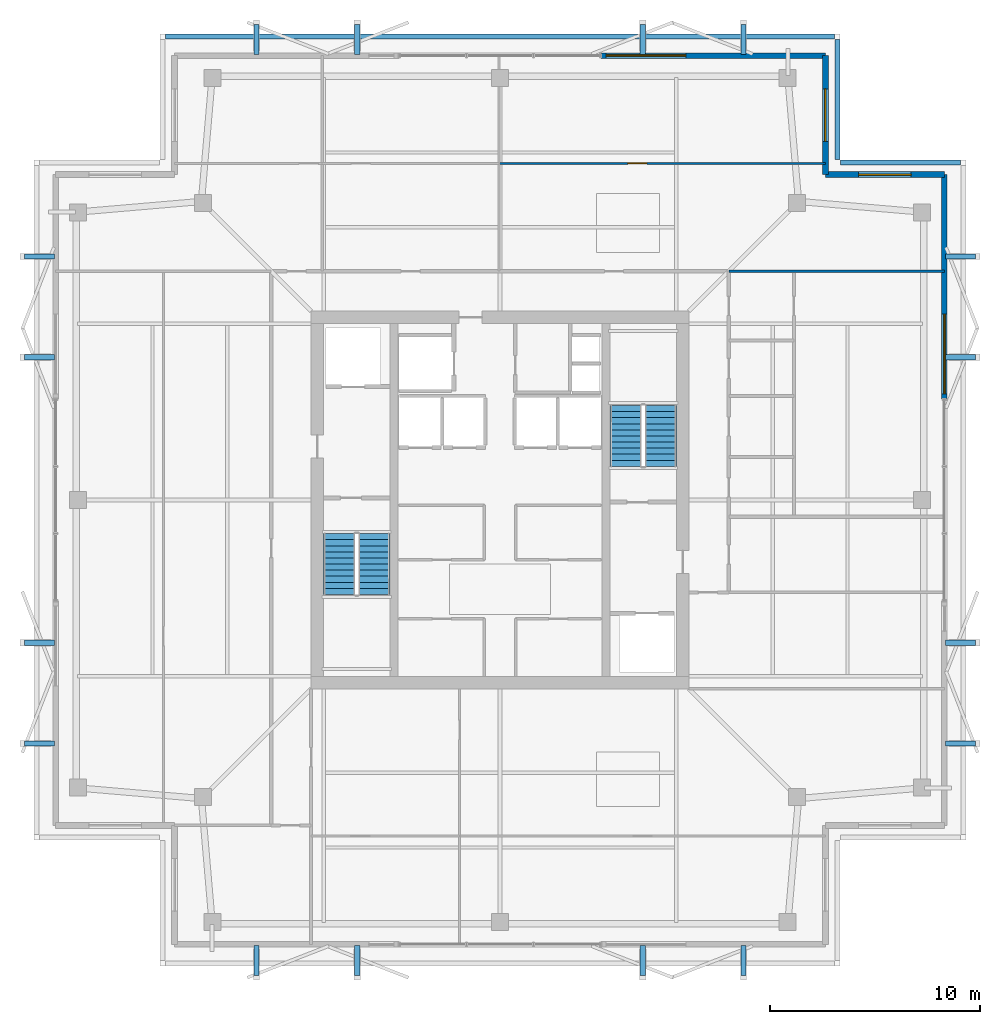
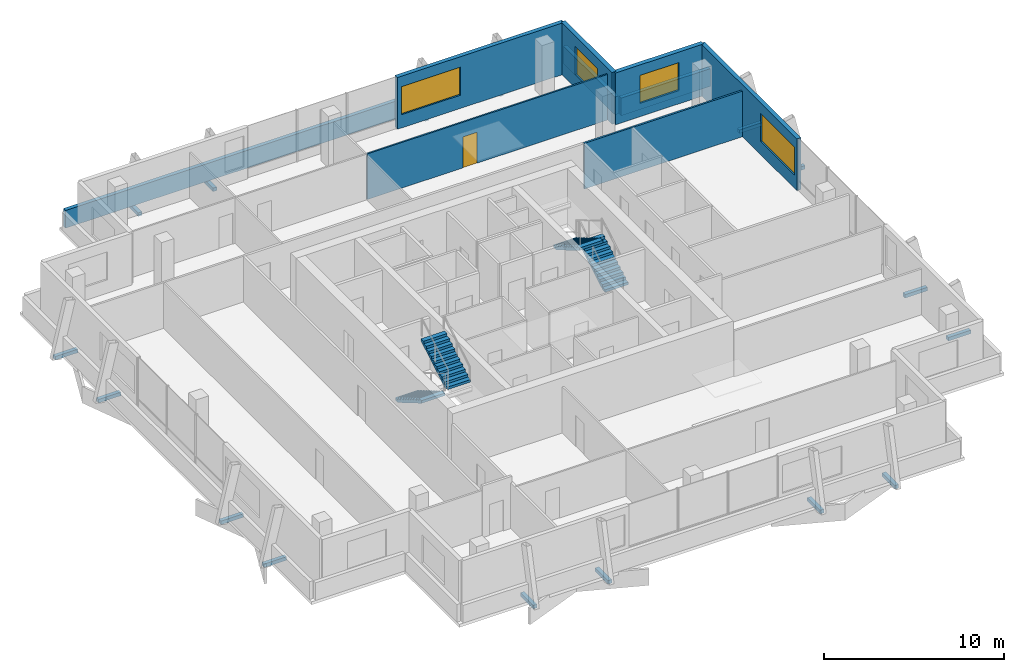
# One storey, part 17 of 18: 16 discrete accessories, 9 walls, 4 stair flights, 4 windows, 1 door, 5 openings, 2 elements without a shape of their own.
"""IFC4 building model written with IfcOpenShell, lengths in metres."""

from ifc_helpers import new_model, si_unit, direction, frame, frame_2d, origin, origin_2d, place, context, subcontext, project, spatial, polyline, rectangle, outline, extrude, material, layer, layer_set, type_object, element, fill, aggregate, save


model = new_model("IFC4")

# Units and contexts
model_context = context("Model", 3, precision=1e-05, world=origin(), true_north=direction((0.0, 1.0)))
body_context = subcontext(model_context, "Body", "Model", "MODEL_VIEW")
ifc_project = project(units=[si_unit("LENGTHUNIT", "METRE"), si_unit("AREAUNIT", "SQUARE_METRE"), si_unit("VOLUMEUNIT", "CUBIC_METRE"), si_unit("PLANEANGLEUNIT", "RADIAN"), si_unit("MASSUNIT", "GRAM", prefix="KILO")], contexts=[model_context])

# Site, building, storey
site_placement = place(None, origin())
site = spatial("IfcSite", under=ifc_project, at=site_placement, CompositionType="ELEMENT")
building_placement = place(site_placement, origin())
building = spatial("IfcBuilding", under=site, at=building_placement, Name="Belovzor Exchange Tower", CompositionType="ELEMENT")
storey_placement = place(building_placement, frame((0.0, 0.0, 344.25)))
storey = spatial("IfcBuildingStorey", under=building, at=storey_placement, Name="L86", CompositionType="ELEMENT", Elevation=344.25)

# Wall
ifc_material_1 = material(Name="Acoustic Plasterboard on Galvanised Studs", Category="gypsum")
ifc_layer_1 = layer(ifc_material_1, 0.1201171875)
ifc_layer_set_1 = layer_set([ifc_layer_1], Name="Acoustic Plasterboard on Galvanised Studs")
wall_type_1 = type_object("IfcWallType", Name="Acoustic Double-Stud Partition Wall 120", PredefinedType="PARTITIONING", material=ifc_layer_set_1)
wall_1_placement = place(storey_placement, frame((39.699951171875, 39.699951171875, 0.0), z_axis=(0.0, 0.0, 1.0), x_axis=(1.0, 0.0, 0.0)))
element("IfcWall", 1, at=wall_1_placement, inside=storey, type_object=wall_type_1, Name="W-P120 Partition Wall W-L86-END-NE", PredefinedType="PARTITIONING", context=body_context, shape_type="SweptSolid", body=[
    extrude(rectangle(XDim=10.27001953125, YDim=0.1201171875, at=frame_2d((5.135009765625, 0.0))), origin(), (0.0, 0.0, 1.0), 3.094970703125),
])

# Wall, opening, door
ifc_material_2 = material(Name="Acoustic Laminated Glass and Aluminium", Category="aluminium")
ifc_layer_2 = layer(ifc_material_2, 0.10009765625)
ifc_layer_set_2 = layer_set([ifc_layer_2], Name="Acoustic Laminated Glass and Aluminium")
wall_type_2 = type_object("IfcWallType", Name="Demountable Executive Glass Partition 100", PredefinedType="MOVABLE", material=ifc_layer_set_2)
wall_2_placement = place(storey_placement, frame((28.760986328125, 44.8349609375, 0.0), z_axis=(0.0, 0.0, 1.0), x_axis=(1.0, 0.0, 0.0)))
wall_2 = element("IfcWall", 2, at=wall_2_placement, inside=storey, type_object=wall_type_2, Name="W-M100 Partition Wall W-L86-NHDIV-2", PredefinedType="MOVABLE", context=body_context, shape_type="SweptSolid", body=[
    extrude(rectangle(XDim=15.5390625, YDim=0.10009765625, at=frame_2d((7.76953125, 0.0))), origin(), (0.0, 0.0, 1.0), 3.094970703125),
])
opening_1_placement = place(wall_2_placement, frame((6.133056640625, 0.0, 0.0)))
opening_1 = element("IfcOpeningElement", 3, at=opening_1_placement, cuts=wall_2, Name="Opening D-INT-090", PredefinedType="OPENING", context=body_context, shape_type="SweptSolid", body=[
    extrude(rectangle(XDim=0.89990234375, YDim=2.10009765625, at=frame_2d((0.449951171875, 1.050048828125))), frame((0.0, 0.06005859375, 0.0), z_axis=(0.0, -1.0, 0.0), x_axis=(1.0, 0.0, 0.0)), (0.0, 0.0, 1.0), 0.1201171875),
])
ifc_material_3 = material(Name="Veneered Hardwood Acoustic Leaf", Category="wood")
door_type = type_object("IfcDoorType", Name="Trading Suite Acoustic Single Door 900x2100", OperationType="NOTDEFINED", PredefinedType="DOOR", material=ifc_material_3)
door_placement = place(opening_1_placement, origin())
door = element("IfcDoor", 4, at=door_placement, inside=storey, type_object=door_type, Name="D-INT-090 Trading Suite Acoustic Single Door 900x2100", OperationType="SINGLE_SWING_RIGHT", OverallHeight=2.10009765625, OverallWidth=0.89990234375, PredefinedType="DOOR", context=body_context, shape_type="SweptSolid", body=[
    extrude(rectangle(XDim=0.89990234375, YDim=2.10009765625, at=frame_2d((0.449951171875, 1.050048828125))), frame((0.0, 0.02490234375, 0.0), z_axis=(0.0, -1.0, 0.0), x_axis=(1.0, 0.0, 0.0)), (0.0, 0.0, 1.0), 0.050048828125),
])
fill(opening_1, door)

# Wall, opening, window
ifc_material_4 = material(Name="Precast concrete C40/50", Category="concrete")
ifc_layer_3 = layer(ifc_material_4, 0.280029296875)
ifc_layer_set_3 = layer_set([ifc_layer_3], Name="Precast concrete C40/50")
wall_type_3 = type_object("IfcWallType", Name="Precast Concrete Notched Corner Frame Wall 280", PredefinedType="SOLIDWALL", material=ifc_layer_set_3)
wall_3_placement = place(storey_placement, frame((44.300048828125, 49.969970703125, 0.0), z_axis=(0.0, 0.0, 1.0), x_axis=(0.0, -1.0, 0.0)))
wall_3 = element("IfcWall", 5, at=wall_3_placement, inside=storey, type_object=wall_type_3, Name="W-CRN280 Precast Concrete Notched Corner Frame Wall 280 L86", PredefinedType="SOLIDWALL", context=body_context, shape_type="SweptSolid", body=[
    extrude(rectangle(XDim=5.669921875, YDim=0.280029296875, at=frame_2d((2.8349609375, 0.0))), origin(), (0.0, 0.0, 1.0), 3.510009765625),
])
opening_2_placement = place(wall_3_placement, frame((1.5849609375, 0.0, 0.89990234375)))
opening_2 = element("IfcOpeningElement", 6, at=opening_2_placement, cuts=wall_3, Name="Opening WN-CRN250", PredefinedType="OPENING", context=body_context, shape_type="SweptSolid", body=[
    extrude(rectangle(XDim=2.5, YDim=1.89990234375, at=frame_2d((1.25, 0.949951171875))), frame((0.0, 0.14990234375, 0.0), z_axis=(0.0, -1.0, 0.0), x_axis=(1.0, 0.0, 0.0)), (0.0, 0.0, 1.0), 0.300048828125),
])
ifc_material_5 = material(Name="Thermally Broken Aluminium and Triple Glazing", Category="aluminium")
window_type_1 = type_object("IfcWindowType", Name="Streamline Moderne Corner Wrap Ribbon Window 2500x1900", PartitioningType="SINGLE_PANEL", PredefinedType="WINDOW", material=ifc_material_5)
window_1_placement = place(opening_2_placement, origin())
window_1 = element("IfcWindow", 7, at=window_1_placement, inside=storey, type_object=window_type_1, Name="WN-CRN250 Streamline Moderne Corner Wrap Ribbon Window 2500x1900", OverallHeight=1.89990234375, OverallWidth=2.5, PartitioningType="SINGLE_PANEL", PredefinedType="WINDOW", context=body_context, shape_type="SweptSolid", body=[
    extrude(rectangle(XDim=2.5, YDim=1.89990234375, at=frame_2d((1.25, 0.949951171875))), frame((0.0, 0.030029296875, 0.0), z_axis=(0.0, -1.0, 0.0), x_axis=(1.0, 0.0, 0.0)), (0.0, 0.0, 1.0), 0.06005859375),
])
fill(opening_2, window_1)

wall_4_placement = place(storey_placement, frame((44.300048828125, 44.300048828125, 0.0), z_axis=(0.0, 0.0, 1.0), x_axis=(1.0, 0.0, 0.0)))
wall_4 = element("IfcWall", 8, at=wall_4_placement, inside=storey, type_object=wall_type_3, Name="W-CRN280 Precast Concrete Notched Corner Frame Wall 280 L86", PredefinedType="SOLIDWALL", context=body_context, shape_type="SweptSolid", body=[
    extrude(rectangle(XDim=5.669921875, YDim=0.280029296875, at=frame_2d((2.8349609375, 0.0))), origin(), (0.0, 0.0, 1.0), 3.510009765625),
])
opening_3_placement = place(wall_4_placement, frame((1.5849609375, 0.0, 0.89990234375)))
opening_3 = element("IfcOpeningElement", 9, at=opening_3_placement, cuts=wall_4, Name="Opening WN-CRN250", PredefinedType="OPENING", context=body_context, shape_type="SweptSolid", body=[
    extrude(rectangle(XDim=2.5, YDim=1.89990234375, at=frame_2d((1.25, 0.949951171875))), frame((0.0, 0.14990234375, 0.0), z_axis=(0.0, -1.0, 0.0), x_axis=(1.0, 0.0, 0.0)), (0.0, 0.0, 1.0), 0.300048828125),
])
window_2_placement = place(opening_3_placement, origin())
window_2 = element("IfcWindow", 10, at=window_2_placement, inside=storey, type_object=window_type_1, Name="WN-CRN250 Streamline Moderne Corner Wrap Ribbon Window 2500x1900", OverallHeight=1.89990234375, OverallWidth=2.5, PartitioningType="SINGLE_PANEL", PredefinedType="WINDOW", context=body_context, shape_type="SweptSolid", body=[
    extrude(rectangle(XDim=2.5, YDim=1.89990234375, at=frame_2d((1.25, 0.949951171875))), frame((0.0, 0.030029296875, 0.0), z_axis=(0.0, -1.0, 0.0), x_axis=(1.0, 0.0, 0.0)), (0.0, 0.0, 1.0), 0.06005859375),
])
fill(opening_3, window_2)

ifc_material_6 = material(Name="Precast concrete C40/50", Category="concrete")
ifc_layer_4 = layer(ifc_material_6, 0.260009765625)
ifc_layer_set_4 = layer_set([ifc_layer_4], Name="Precast concrete C40/50")
wall_type_4 = type_object("IfcWallType", Name="Precast Concrete Perimeter Loggia Frame Wall 260", PredefinedType="SOLIDWALL", material=ifc_layer_set_4)
wall_5_placement = place(storey_placement, frame((33.60009765625, 49.969970703125, 0.0), z_axis=(0.0, 0.0, 1.0), x_axis=(1.0, 0.0, 0.0)))
wall_5 = element("IfcWall", 11, at=wall_5_placement, inside=storey, type_object=wall_type_4, Name="W-EXT260 Precast Concrete Perimeter Loggia Frame Wall 260 L86", PredefinedType="SOLIDWALL", context=body_context, shape_type="SweptSolid", body=[
    extrude(rectangle(XDim=10.699951171875, YDim=0.260009765625, at=frame_2d((5.35009765625, 0.0))), origin(), (0.0, 0.0, 1.0), 3.510009765625),
])
opening_4_placement = place(wall_5_placement, frame((0.25, 0.0, 0.89990234375)))
opening_4 = element("IfcOpeningElement", 12, at=opening_4_placement, cuts=wall_5, Name="Opening WN-RIB380", PredefinedType="OPENING", context=body_context, shape_type="SweptSolid", body=[
    extrude(rectangle(XDim=3.800048828125, YDim=1.89990234375, at=frame_2d((1.89990234375, 0.949951171875))), frame((0.0, 0.139892578125, 0.0), z_axis=(0.0, -1.0, 0.0), x_axis=(1.0, 0.0, 0.0)), (0.0, 0.0, 1.0), 0.280029296875),
])
ifc_material_7 = material(Name="Thermally Broken Aluminium and Triple Glazing", Category="aluminium")
window_type_2 = type_object("IfcWindowType", Name="Streamline Moderne Horizontal Ribbon Window 3800x1900", PartitioningType="SINGLE_PANEL", PredefinedType="WINDOW", material=ifc_material_7)
window_3_placement = place(opening_4_placement, origin())
window_3 = element("IfcWindow", 13, at=window_3_placement, inside=storey, type_object=window_type_2, Name="WN-RIB380 Streamline Moderne Horizontal Ribbon Window 3800x1900", OverallHeight=1.89990234375, OverallWidth=3.800048828125, PartitioningType="SINGLE_PANEL", PredefinedType="WINDOW", context=body_context, shape_type="SweptSolid", body=[
    extrude(rectangle(XDim=3.800048828125, YDim=1.89990234375, at=frame_2d((1.89990234375, 0.949951171875))), frame((0.0, 0.030029296875, 0.0), z_axis=(0.0, -1.0, 0.0), x_axis=(1.0, 0.0, 0.0)), (0.0, 0.0, 1.0), 0.06005859375),
])
fill(opening_4, window_3)

wall_6_placement = place(storey_placement, frame((49.969970703125, 44.300048828125, 0.0), z_axis=(0.0, 0.0, 1.0), x_axis=(0.0, -1.0, 0.0)))
wall_6 = element("IfcWall", 14, at=wall_6_placement, inside=storey, type_object=wall_type_4, Name="W-EXT260 Precast Concrete Perimeter Loggia Frame Wall 260 L86", PredefinedType="SOLIDWALL", context=body_context, shape_type="SweptSolid", body=[
    extrude(rectangle(XDim=10.699951171875, YDim=0.260009765625, at=frame_2d((5.35009765625, 0.0))), origin(), (0.0, 0.0, 1.0), 3.510009765625),
])
opening_5_placement = place(wall_6_placement, frame((6.64990234375, 0.0, 0.89990234375)))
opening_5 = element("IfcOpeningElement", 15, at=opening_5_placement, cuts=wall_6, Name="Opening WN-RIB380", PredefinedType="OPENING", context=body_context, shape_type="SweptSolid", body=[
    extrude(rectangle(XDim=3.800048828125, YDim=1.89990234375, at=frame_2d((1.89990234375, 0.949951171875))), frame((0.0, 0.139892578125, 0.0), z_axis=(0.0, -1.0, 0.0), x_axis=(1.0, 0.0, 0.0)), (0.0, 0.0, 1.0), 0.280029296875),
])
window_4_placement = place(opening_5_placement, origin())
window_4 = element("IfcWindow", 16, at=window_4_placement, inside=storey, type_object=window_type_2, Name="WN-RIB380 Streamline Moderne Horizontal Ribbon Window 3800x1900", OverallHeight=1.89990234375, OverallWidth=3.800048828125, PartitioningType="SINGLE_PANEL", PredefinedType="WINDOW", context=body_context, shape_type="SweptSolid", body=[
    extrude(rectangle(XDim=3.800048828125, YDim=1.89990234375, at=frame_2d((1.89990234375, 0.949951171875))), frame((0.0, 0.030029296875, 0.0), z_axis=(0.0, -1.0, 0.0), x_axis=(1.0, 0.0, 0.0)), (0.0, 0.0, 1.0), 0.06005859375),
])
fill(opening_5, window_4)

# Walls
ifc_material_8 = material(Name="Precast concrete C40/50", Category="concrete")
ifc_layer_5 = layer(ifc_material_8, 0.239990234375)
ifc_layer_set_5 = layer_set([ifc_layer_5], Name="Precast concrete C40/50")
wall_type_5 = type_object("IfcWallType", Name="Precast Stone Setback Roof Parapet Wall 240", PredefinedType="PARAPET", material=ifc_layer_set_5)
for number, where, z_axis, x_axis, name in (
    (17, (50.7451171875, 44.8798828125, 0.0), (0.0, 0.0, 1.0), (-1.0, 0.0, 0.0), "W-PAR240 Precast Stone Setback Roof Parapet Wall 240 L86"),
    (18, (44.8798828125, 45.014892578125, 0.0), (0.0, 0.0, 1.0), (0.0, 1.0, 0.0), "W-PAR240 Precast Stone Setback Roof Parapet Wall 240 L86"),
):
    element("IfcWall", number, at=place(storey_placement, frame(where, z_axis=z_axis, x_axis=x_axis)), inside=storey, type_object=wall_type_5, Name=name, PredefinedType="PARAPET", context=body_context, shape_type="SweptSolid", body=[
        extrude(rectangle(XDim=5.730224609375, YDim=0.239990234375, at=frame_2d((2.865234375, 0.0))), origin(), (0.0, 0.0, 1.0), 1.199951171875),
    ])
wall_7_placement = place(storey_placement, frame((44.7451171875, 50.8798828125, 0.0), z_axis=(0.0, 0.0, 1.0), x_axis=(-1.0, 0.0, 0.0)))
element("IfcWall", 19, at=wall_7_placement, inside=storey, type_object=wall_type_5, Name="W-PAR240 Precast Stone Setback Roof Parapet Wall 240 L86", PredefinedType="PARAPET", context=body_context, shape_type="SweptSolid", body=[
    extrude(rectangle(XDim=31.89013671875, YDim=0.239990234375, at=frame_2d((15.945068359375, 0.0))), origin(), (0.0, 0.0, 1.0), 1.199951171875),
])

# Stair, stair flights
ifc_material_9 = material(Name="Concrete C40/50", Category="concrete")
stair_type = type_object("IfcStairType", Name="Reinforced Concrete Dogleg Escape Stair 1350", PredefinedType="HALF_TURN_STAIR", material=ifc_material_9)
stair_1_placement = place(storey_placement, origin())
stair_1 = element("IfcStair", 20, at=stair_1_placement, inside=storey, type_object=stair_type, Name="L86 ST-1", PredefinedType="HALF_TURN_STAIR")
ifc_material_10 = material(Name="Concrete C40/50", Category="concrete")
stair_flight_type = type_object("IfcStairFlightType", Name="Reinforced Concrete Stair Flight 1350", PredefinedType="STRAIGHT", material=ifc_material_10)
stair_flight_1_placement = place(storey_placement, frame((21.14990234375, 27.199951171875, 0.0), z_axis=(0.0, 0.0, 1.0), x_axis=(0.0, -1.0, 0.0)))
stair_flight_1 = element("IfcStairFlight", 21, at=stair_flight_1_placement, type_object=stair_flight_type, Name="ST-1 flight 1", NumberOfRisers=11, NumberOfTreads=10, PredefinedType="STRAIGHT", RiserHeight=0.170454545, TreadLength=0.29, context=body_context, shape_type="SweptSolid", body=[
    extrude(outline(polyline([(0.0, 0.0), (0.0, 0.17041015625), (0.2900390625, 0.17041015625), (0.2900390625, 0.3408203125), (0.580078125, 0.3408203125), (0.580078125, 0.511474609375), (0.8701171875, 0.511474609375), (0.8701171875, 0.681884765625), (1.159912109375, 0.681884765625), (1.159912109375, 0.852294921875), (1.449951171875, 0.852294921875), (1.449951171875, 1.022705078125), (1.739990234375, 1.022705078125), (1.739990234375, 1.193115234375), (2.030029296875, 1.193115234375), (2.030029296875, 1.363525390625), (2.320068359375, 1.363525390625), (2.320068359375, 1.5341796875), (2.610107421875, 1.5341796875), (2.610107421875, 1.70458984375), (2.89990234375, 1.70458984375), (2.89990234375, 1.875), (2.89990234375, 1.53076171875), (0.2958984375, 0.0), (0.0, 0.0)])), frame((0.0, 0.75, 0.0), z_axis=(0.0, -1.0, 0.0), x_axis=(1.0, 0.0, 0.0)), (0.0, 0.0, 1.0), 1.5),
])
stair_flight_2_placement = place(storey_placement, frame((22.800048828125, 24.300048828125, 1.875), z_axis=(0.0, 0.0, 1.0), x_axis=(0.0, 1.0, 0.0)))
stair_flight_2 = element("IfcStairFlight", 22, at=stair_flight_2_placement, type_object=stair_flight_type, Name="ST-1 flight 2", NumberOfRisers=11, NumberOfTreads=10, PredefinedType="STRAIGHT", RiserHeight=0.170454545, TreadLength=0.29, context=body_context, shape_type="SweptSolid", body=[
    extrude(outline(polyline([(0.0, 0.0), (0.0, 0.17041015625), (0.2900390625, 0.17041015625), (0.2900390625, 0.3408203125), (0.580078125, 0.3408203125), (0.580078125, 0.511474609375), (0.8701171875, 0.511474609375), (0.8701171875, 0.681884765625), (1.159912109375, 0.681884765625), (1.159912109375, 0.852294921875), (1.449951171875, 0.852294921875), (1.449951171875, 1.022705078125), (1.739990234375, 1.022705078125), (1.739990234375, 1.193115234375), (2.030029296875, 1.193115234375), (2.030029296875, 1.363525390625), (2.320068359375, 1.363525390625), (2.320068359375, 1.5341796875), (2.610107421875, 1.5341796875), (2.610107421875, 1.70458984375), (2.89990234375, 1.70458984375), (2.89990234375, 1.875), (2.89990234375, 1.53076171875), (0.2958984375, 0.0), (0.0, 0.0)])), frame((0.0, 0.75, 0.0), z_axis=(0.0, -1.0, 0.0), x_axis=(1.0, 0.0, 0.0)), (0.0, 0.0, 1.0), 1.5),
])
aggregate(stair_1, [stair_flight_1, stair_flight_2])

stair_2_placement = place(storey_placement, origin())
stair_2 = element("IfcStair", 23, at=stair_2_placement, inside=storey, type_object=stair_type, Name="L86 ST-2", PredefinedType="HALF_TURN_STAIR")
stair_flight_3_placement = place(storey_placement, frame((36.449951171875, 30.39990234375, 0.0), z_axis=(0.0, 0.0, 1.0), x_axis=(0.0, 1.0, 0.0)))
stair_flight_3 = element("IfcStairFlight", 24, at=stair_flight_3_placement, type_object=stair_flight_type, Name="ST-2 flight 1", NumberOfRisers=11, NumberOfTreads=10, PredefinedType="STRAIGHT", RiserHeight=0.170454545, TreadLength=0.29, context=body_context, shape_type="SweptSolid", body=[
    extrude(outline(polyline([(0.0, 0.0), (0.0, 0.17041015625), (0.2900390625, 0.17041015625), (0.2900390625, 0.3408203125), (0.580078125, 0.3408203125), (0.580078125, 0.511474609375), (0.8701171875, 0.511474609375), (0.8701171875, 0.681884765625), (1.159912109375, 0.681884765625), (1.159912109375, 0.852294921875), (1.449951171875, 0.852294921875), (1.449951171875, 1.022705078125), (1.739990234375, 1.022705078125), (1.739990234375, 1.193115234375), (2.030029296875, 1.193115234375), (2.030029296875, 1.363525390625), (2.320068359375, 1.363525390625), (2.320068359375, 1.5341796875), (2.610107421875, 1.5341796875), (2.610107421875, 1.70458984375), (2.89990234375, 1.70458984375), (2.89990234375, 1.875), (2.89990234375, 1.53076171875), (0.2958984375, 0.0), (0.0, 0.0)])), frame((0.0, 0.75, 0.0), z_axis=(0.0, -1.0, 0.0), x_axis=(1.0, 0.0, 0.0)), (0.0, 0.0, 1.0), 1.5),
])
stair_flight_4_placement = place(storey_placement, frame((34.800048828125, 33.300048828125, 1.875), z_axis=(0.0, 0.0, 1.0), x_axis=(0.0, -1.0, 0.0)))
stair_flight_4 = element("IfcStairFlight", 25, at=stair_flight_4_placement, type_object=stair_flight_type, Name="ST-2 flight 2", NumberOfRisers=11, NumberOfTreads=10, PredefinedType="STRAIGHT", RiserHeight=0.170454545, TreadLength=0.29, context=body_context, shape_type="SweptSolid", body=[
    extrude(outline(polyline([(0.0, 0.0), (0.0, 0.17041015625), (0.2900390625, 0.17041015625), (0.2900390625, 0.3408203125), (0.580078125, 0.3408203125), (0.580078125, 0.511474609375), (0.8701171875, 0.511474609375), (0.8701171875, 0.681884765625), (1.159912109375, 0.681884765625), (1.159912109375, 0.852294921875), (1.449951171875, 0.852294921875), (1.449951171875, 1.022705078125), (1.739990234375, 1.022705078125), (1.739990234375, 1.193115234375), (2.030029296875, 1.193115234375), (2.030029296875, 1.363525390625), (2.320068359375, 1.363525390625), (2.320068359375, 1.5341796875), (2.610107421875, 1.5341796875), (2.610107421875, 1.70458984375), (2.89990234375, 1.70458984375), (2.89990234375, 1.875), (2.89990234375, 1.53076171875), (0.2958984375, 0.0), (0.0, 0.0)])), frame((0.0, 0.75, 0.0), z_axis=(0.0, -1.0, 0.0), x_axis=(1.0, 0.0, 0.0)), (0.0, 0.0, 1.0), 1.5),
])
aggregate(stair_2, [stair_flight_3, stair_flight_4])

# Discrete accessories
ifc_material_11 = material(Name="Stainless Steel Grade 316", Category="steel")
ifc_layer_6 = layer(ifc_material_11, 0.179931640625)
ifc_layer_set_6 = layer_set([ifc_layer_6], Name="Stainless Steel Grade 316")
discrete_accessory_type = type_object("IfcDiscreteAccessoryType", Name="Stainless Steel Facade Outrigger Fixing Bracket", PredefinedType="BRACKET", material=ifc_layer_set_6)
for number, where, z_axis, x_axis, name in (
    (26, (17.199951171875, 6.862060546875, -0.240234375), (0.0, 0.0, 1.0), (0.0, 1.0, 0.0), "BRK-FIN1 Sweeping Fin Outrigger Bracket L86 S1"),
    (27, (17.199951171875, 50.737060546875, -0.240234375), (0.0, 0.0, 1.0), (0.0, 1.0, 0.0), "BRK-FIN1 Sweeping Fin Outrigger Bracket L86 N1"),
    (28, (6.862060546875, 17.199951171875, -0.240234375), (0.0, 0.0, 1.0), (1.0, 0.0, 0.0), "BRK-FIN1 Sweeping Fin Outrigger Bracket L86 W1"),
    (29, (50.737060546875, 17.199951171875, -0.240234375), (0.0, 0.0, 1.0), (1.0, 0.0, 0.0), "BRK-FIN1 Sweeping Fin Outrigger Bracket L86 E1"),
    (30, (22.0, 6.862060546875, -0.240234375), (0.0, 0.0, 1.0), (0.0, 1.0, 0.0), "BRK-FIN1 Sweeping Fin Outrigger Bracket L86 S2"),
    (31, (22.0, 50.737060546875, -0.240234375), (0.0, 0.0, 1.0), (0.0, 1.0, 0.0), "BRK-FIN1 Sweeping Fin Outrigger Bracket L86 N2"),
    (32, (6.862060546875, 22.0, -0.240234375), (0.0, 0.0, 1.0), (1.0, 0.0, 0.0), "BRK-FIN1 Sweeping Fin Outrigger Bracket L86 W2"),
    (33, (50.737060546875, 22.0, -0.240234375), (0.0, 0.0, 1.0), (1.0, 0.0, 0.0), "BRK-FIN1 Sweeping Fin Outrigger Bracket L86 E2"),
    (34, (35.60009765625, 6.862060546875, -0.240234375), (0.0, 0.0, 1.0), (0.0, 1.0, 0.0), "BRK-FIN1 Sweeping Fin Outrigger Bracket L86 S3"),
    (35, (35.60009765625, 50.737060546875, -0.240234375), (0.0, 0.0, 1.0), (0.0, 1.0, 0.0), "BRK-FIN1 Sweeping Fin Outrigger Bracket L86 N3"),
    (36, (6.862060546875, 35.60009765625, -0.240234375), (0.0, 0.0, 1.0), (1.0, 0.0, 0.0), "BRK-FIN1 Sweeping Fin Outrigger Bracket L86 W3"),
    (37, (50.737060546875, 35.60009765625, -0.240234375), (0.0, 0.0, 1.0), (1.0, 0.0, 0.0), "BRK-FIN1 Sweeping Fin Outrigger Bracket L86 E3"),
    (38, (40.39990234375, 6.862060546875, -0.240234375), (0.0, 0.0, 1.0), (0.0, 1.0, 0.0), "BRK-FIN1 Sweeping Fin Outrigger Bracket L86 S4"),
    (39, (40.39990234375, 50.737060546875, -0.240234375), (0.0, 0.0, 1.0), (0.0, 1.0, 0.0), "BRK-FIN1 Sweeping Fin Outrigger Bracket L86 N4"),
    (40, (6.862060546875, 40.39990234375, -0.240234375), (0.0, 0.0, 1.0), (1.0, 0.0, 0.0), "BRK-FIN1 Sweeping Fin Outrigger Bracket L86 W4"),
    (41, (50.737060546875, 40.39990234375, -0.240234375), (0.0, 0.0, 1.0), (1.0, 0.0, 0.0), "BRK-FIN1 Sweeping Fin Outrigger Bracket L86 E4"),
):
    element("IfcDiscreteAccessory", number, at=place(storey_placement, frame(where, z_axis=z_axis, x_axis=x_axis)), inside=storey, type_object=discrete_accessory_type, Name=name, PredefinedType="BRACKET", context=body_context, shape_type="SweptSolid", body=[
        extrude(rectangle(XDim=1.43505859375, YDim=0.239990234375, at=origin_2d()), origin(), (0.0, 0.0, 1.0), 0.239990234375),
    ])

save(model, "model.ifc")
